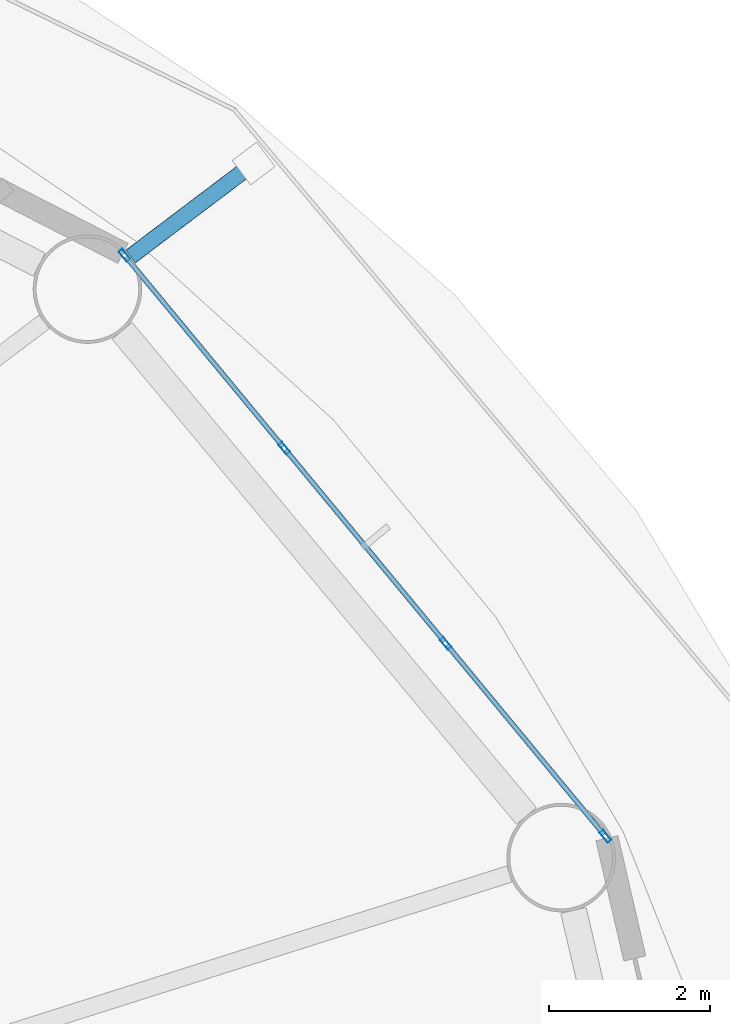
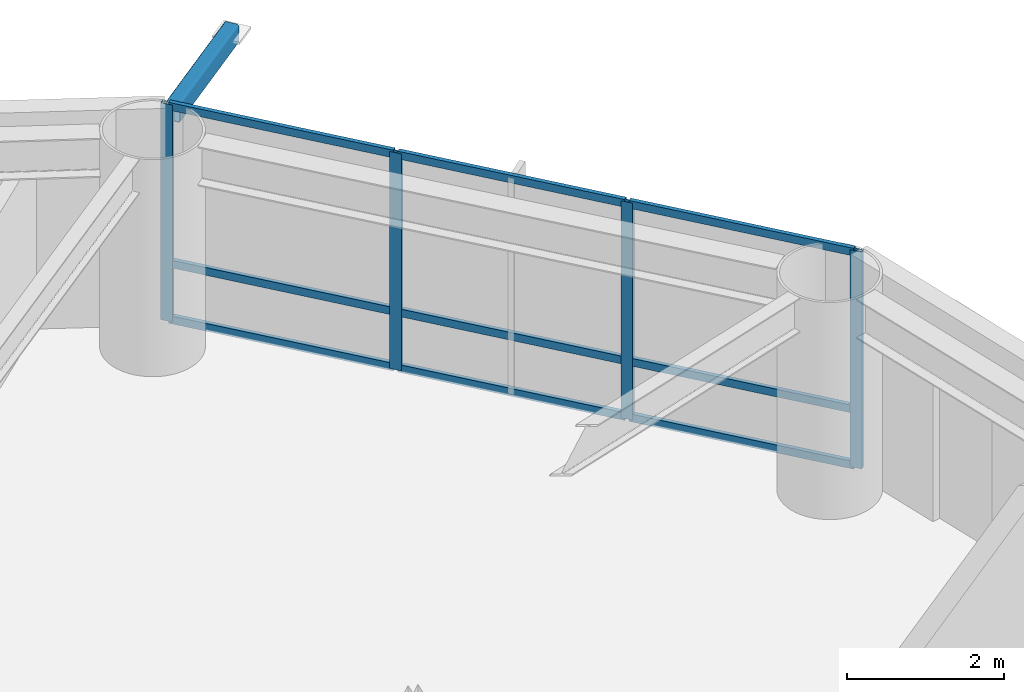
# One storey, part 12 of 24: 14 members, 1 element without a shape of its own.
"""IFC4 building model written with IfcOpenShell, lengths in metres."""

from ifc_helpers import new_model, si_unit, direction, frame, origin, origin_2d, place, context, subcontext, project, spatial, hollow_rectangle, extrude, material, layer, layer_set, material_profile, profile_set, type_object, element, aggregate, save


model = new_model("IFC4")

# Units and contexts
model_context = context("Model", 3, precision=1e-05, world=origin(), true_north=direction((0.0, 1.0)))
body_context = subcontext(model_context, "Body", "Model", "MODEL_VIEW")
ifc_project = project(units=[si_unit("LENGTHUNIT", "METRE"), si_unit("AREAUNIT", "SQUARE_METRE"), si_unit("VOLUMEUNIT", "CUBIC_METRE"), si_unit("PLANEANGLEUNIT", "RADIAN"), si_unit("MASSUNIT", "GRAM", prefix="KILO")], contexts=[model_context])

# Site, building, storey
site_placement = place(None, origin())
site = spatial("IfcSite", under=ifc_project, at=site_placement, CompositionType="ELEMENT")
building_placement = place(site_placement, origin())
building = spatial("IfcBuilding", under=site, at=building_placement, Name="Sarneth Arch Tower", CompositionType="ELEMENT")
storey_placement = place(building_placement, frame((0.0, 0.0, 120.0)))
storey = spatial("IfcBuildingStorey", under=building, at=storey_placement, Name="L30", CompositionType="ELEMENT", Elevation=120.0)

# Curtain wall, members
ifc_material_1 = material(Name="Anodised aluminium Type AA25 and solar-control low-e laminated IGU", Category="aluminium")
ifc_layer = layer(ifc_material_1, 0.159912109375)
ifc_layer_set = layer_set([ifc_layer], Name="Anodised aluminium Type AA25 and solar-control low-e laminated IGU")
curtain_wall_type = type_object("IfcCurtainWallType", Name="CW-HOTEL-MID", PredefinedType="NOTDEFINED", material=ifc_layer_set)
curtain_wall_placement = place(storey_placement, origin())
curtain_wall = element("IfcCurtainWall", 1, at=curtain_wall_placement, inside=storey, type_object=curtain_wall_type, Name="L30 Unitised curtain wall facet 02", PredefinedType="NOTDEFINED")
ifc_material_2 = material(Name="Anodised Aluminium 6063-T6", Category="aluminium")
ifc_material_profile_1 = material_profile(ifc_material_2, hollow_rectangle(XDim=0.06005859375, YDim=0.159912109375, WallThickness=0.00390625, at=origin_2d()), Name="AL-MULL-160x60x4")
ifc_profile_set_1 = profile_set([ifc_material_profile_1], Name="Anodised Aluminium 6063-T6")
member_type_1 = type_object("IfcMemberType", Name="CW-MULLION", PredefinedType="MULLION", material=ifc_profile_set_1)
member_1_placement = place(storey_placement, frame((74.84228515625, 50.606689453125, 0.0), z_axis=(0.0, 0.0, 1.0), x_axis=(-0.770437787363, -0.637515188684, 0.0)))
member_1 = element("IfcMember", 2, at=member_1_placement, type_object=member_type_1, Name="CW-SYS-4 mullion 1", PredefinedType="MULLION", context=body_context, shape_type="SweptSolid", body=[
    extrude(hollow_rectangle(XDim=0.06005859375, YDim=0.159912109375, WallThickness=0.00390625, at=origin_2d()), origin(), (0.0, 0.0, 1.0), 3.3798828125),
])
member_2_placement = place(storey_placement, frame((72.854248046875, 53.00927734375, 0.0), z_axis=(0.0, 0.0, 1.0), x_axis=(-0.770437787363, -0.637515188684, 0.0)))
member_2 = element("IfcMember", 3, at=member_2_placement, type_object=member_type_1, Name="CW-SYS-4 mullion 2", PredefinedType="MULLION", context=body_context, shape_type="SweptSolid", body=[
    extrude(hollow_rectangle(XDim=0.06005859375, YDim=0.159912109375, WallThickness=0.00390625, at=origin_2d()), origin(), (0.0, 0.0, 1.0), 3.3798828125),
])
member_3_placement = place(storey_placement, frame((70.84716796875, 55.434814453125, 0.0), z_axis=(0.0, 0.0, 1.0), x_axis=(-0.770437787363, -0.637515188684, 0.0)))
member_3 = element("IfcMember", 4, at=member_3_placement, type_object=member_type_1, Name="CW-SYS-4 mullion 3", PredefinedType="MULLION", context=body_context, shape_type="SweptSolid", body=[
    extrude(hollow_rectangle(XDim=0.06005859375, YDim=0.159912109375, WallThickness=0.00390625, at=origin_2d()), origin(), (0.0, 0.0, 1.0), 3.3798828125),
])
member_4_placement = place(storey_placement, frame((68.859130859375, 57.83740234375, 0.0), z_axis=(0.0, 0.0, 1.0), x_axis=(-0.770437787363, -0.637515188684, 0.0)))
member_4 = element("IfcMember", 5, at=member_4_placement, type_object=member_type_1, Name="CW-SYS-4 mullion 4", PredefinedType="MULLION", context=body_context, shape_type="SweptSolid", body=[
    extrude(hollow_rectangle(XDim=0.06005859375, YDim=0.159912109375, WallThickness=0.00390625, at=origin_2d()), origin(), (0.0, 0.0, 1.0), 3.3798828125),
])
ifc_material_3 = material(Name="Anodised Aluminium 6063-T6", Category="aluminium")
ifc_material_profile_2 = material_profile(ifc_material_3, hollow_rectangle(XDim=0.06005859375, YDim=0.1201171875, WallThickness=0.00390625, at=origin_2d()), Name="AL-TRAN-120x60x4")
ifc_profile_set_2 = profile_set([ifc_material_profile_2], Name="Anodised Aluminium 6063-T6")
member_type_2 = type_object("IfcMemberType", Name="CW-TRANSOM", PredefinedType="USERDEFINED", material=ifc_profile_set_2)
member_5_placement = place(storey_placement, frame((74.8232421875, 50.6298828125, 0.030029296875), z_axis=(-0.637566080343, 0.770395673142, 0.0), x_axis=(-0.770395673142, -0.637566080343, 0.0)))
member_5 = element("IfcMember", 6, at=member_5_placement, type_object=member_type_2, Name="CW-SYS-4 transom 1.1", ObjectType="TRANSOM", PredefinedType="USERDEFINED", context=body_context, shape_type="SweptSolid", body=[
    extrude(hollow_rectangle(XDim=0.06005859375, YDim=0.1201171875, WallThickness=0.00390625, at=origin_2d()), origin(), (0.0, 0.0, 1.0), 3.058349609375),
])
member_6_placement = place(storey_placement, frame((74.8232421875, 50.6298828125, 0.89990234375), z_axis=(-0.637566080343, 0.770395673142, 0.0), x_axis=(-0.770395673142, -0.637566080343, 0.0)))
member_6 = element("IfcMember", 7, at=member_6_placement, type_object=member_type_2, Name="CW-SYS-4 transom 1.2", ObjectType="TRANSOM", PredefinedType="USERDEFINED", context=body_context, shape_type="SweptSolid", body=[
    extrude(hollow_rectangle(XDim=0.06005859375, YDim=0.1201171875, WallThickness=0.00390625, at=origin_2d()), origin(), (0.0, 0.0, 1.0), 3.058349609375),
])
member_7_placement = place(storey_placement, frame((74.8232421875, 50.6298828125, 3.35009765625), z_axis=(-0.637566080343, 0.770395673142, 0.0), x_axis=(-0.770395673142, -0.637566080343, 0.0)))
member_7 = element("IfcMember", 8, at=member_7_placement, type_object=member_type_2, Name="CW-SYS-4 transom 1.3", ObjectType="TRANSOM", PredefinedType="USERDEFINED", context=body_context, shape_type="SweptSolid", body=[
    extrude(hollow_rectangle(XDim=0.06005859375, YDim=0.1201171875, WallThickness=0.00390625, at=origin_2d()), origin(), (0.0, 0.0, 1.0), 3.058349609375),
])
member_8_placement = place(storey_placement, frame((72.835205078125, 53.0322265625, 0.030029296875), z_axis=(-0.637536975021, 0.770419759275, 0.0), x_axis=(-0.770419759275, -0.637536975021, 0.0)))
member_8 = element("IfcMember", 9, at=member_8_placement, type_object=member_type_2, Name="CW-SYS-4 transom 2.1", ObjectType="TRANSOM", PredefinedType="USERDEFINED", context=body_context, shape_type="SweptSolid", body=[
    extrude(hollow_rectangle(XDim=0.06005859375, YDim=0.1201171875, WallThickness=0.00390625, at=origin_2d()), origin(), (0.0, 0.0, 1.0), 3.08837890625),
])
member_9_placement = place(storey_placement, frame((72.835205078125, 53.0322265625, 0.89990234375), z_axis=(-0.637536975021, 0.770419759275, 0.0), x_axis=(-0.770419759275, -0.637536975021, 0.0)))
member_9 = element("IfcMember", 10, at=member_9_placement, type_object=member_type_2, Name="CW-SYS-4 transom 2.2", ObjectType="TRANSOM", PredefinedType="USERDEFINED", context=body_context, shape_type="SweptSolid", body=[
    extrude(hollow_rectangle(XDim=0.06005859375, YDim=0.1201171875, WallThickness=0.00390625, at=origin_2d()), origin(), (0.0, 0.0, 1.0), 3.08837890625),
])
member_10_placement = place(storey_placement, frame((72.835205078125, 53.0322265625, 3.35009765625), z_axis=(-0.637536975021, 0.770419759275, 0.0), x_axis=(-0.770419759275, -0.637536975021, 0.0)))
member_10 = element("IfcMember", 11, at=member_10_placement, type_object=member_type_2, Name="CW-SYS-4 transom 2.3", ObjectType="TRANSOM", PredefinedType="USERDEFINED", context=body_context, shape_type="SweptSolid", body=[
    extrude(hollow_rectangle(XDim=0.06005859375, YDim=0.1201171875, WallThickness=0.00390625, at=origin_2d()), origin(), (0.0, 0.0, 1.0), 3.08837890625),
])
member_11_placement = place(storey_placement, frame((70.828125, 55.4580078125, 0.030029296875), z_axis=(-0.637566080343, 0.770395673142, 0.0), x_axis=(-0.770395673142, -0.637566080343, 0.0)))
member_11 = element("IfcMember", 12, at=member_11_placement, type_object=member_type_2, Name="CW-SYS-4 transom 3.1", ObjectType="TRANSOM", PredefinedType="USERDEFINED", context=body_context, shape_type="SweptSolid", body=[
    extrude(hollow_rectangle(XDim=0.06005859375, YDim=0.1201171875, WallThickness=0.00390625, at=origin_2d()), origin(), (0.0, 0.0, 1.0), 3.058349609375),
])
member_12_placement = place(storey_placement, frame((70.828125, 55.4580078125, 0.89990234375), z_axis=(-0.637566080343, 0.770395673142, 0.0), x_axis=(-0.770395673142, -0.637566080343, 0.0)))
member_12 = element("IfcMember", 13, at=member_12_placement, type_object=member_type_2, Name="CW-SYS-4 transom 3.2", ObjectType="TRANSOM", PredefinedType="USERDEFINED", context=body_context, shape_type="SweptSolid", body=[
    extrude(hollow_rectangle(XDim=0.06005859375, YDim=0.1201171875, WallThickness=0.00390625, at=origin_2d()), origin(), (0.0, 0.0, 1.0), 3.058349609375),
])
member_13_placement = place(storey_placement, frame((70.828125, 55.4580078125, 3.35009765625), z_axis=(-0.637566080343, 0.770395673142, 0.0), x_axis=(-0.770395673142, -0.637566080343, 0.0)))
member_13 = element("IfcMember", 14, at=member_13_placement, type_object=member_type_2, Name="CW-SYS-4 transom 3.3", ObjectType="TRANSOM", PredefinedType="USERDEFINED", context=body_context, shape_type="SweptSolid", body=[
    extrude(hollow_rectangle(XDim=0.06005859375, YDim=0.1201171875, WallThickness=0.00390625, at=origin_2d()), origin(), (0.0, 0.0, 1.0), 3.058349609375),
])
aggregate(curtain_wall, [member_1, member_2, member_3, member_4, member_5, member_6, member_7, member_8, member_9, member_10, member_11, member_12, member_13])

# Member
ifc_material_4 = material(Name="Steel S355", Category="steel")
ifc_material_profile_3 = material_profile(ifc_material_4, hollow_rectangle(XDim=0.199951171875, YDim=0.300048828125, WallThickness=0.012451171875, InnerFilletRadius=0.018798828125, OuterFilletRadius=0.03125, at=origin_2d()), Name="RHS300x200x12.5")
ifc_profile_set_3 = profile_set([ifc_material_profile_3], Name="Steel S355")
member_type_3 = type_object("IfcMemberType", Name="MEM-CANT-STRUT", PredefinedType="STRUT", material=ifc_profile_set_3)
member_14_placement = place(storey_placement, frame((68.936279296875, 57.822021484375, 3.219970703125), z_axis=(0.797808773772, 0.602910574208, 0.0), x_axis=(-0.602910574208, 0.797808773772, 0.0)))
element("IfcMember", 15, at=member_14_placement, inside=storey, type_object=member_type_3, Name="L30 Balcony cantilever bracket 03", PredefinedType="STRUT", context=body_context, shape_type="SweptSolid", body=[
    extrude(hollow_rectangle(XDim=0.199951171875, YDim=0.300048828125, WallThickness=0.012451171875, InnerFilletRadius=0.018798828125, OuterFilletRadius=0.03125, at=origin_2d()), origin(), (0.0, 0.0, 1.0), 1.91650390625),
])

save(model, "model.ifc")
